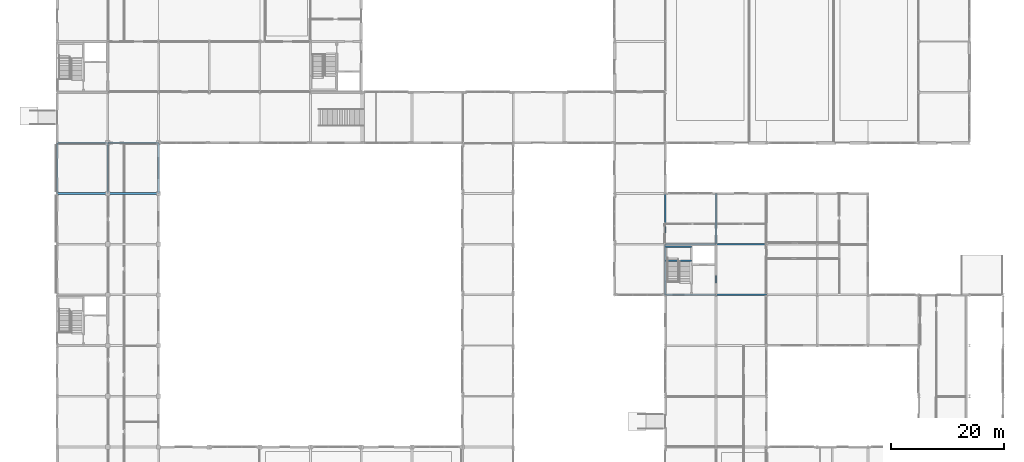
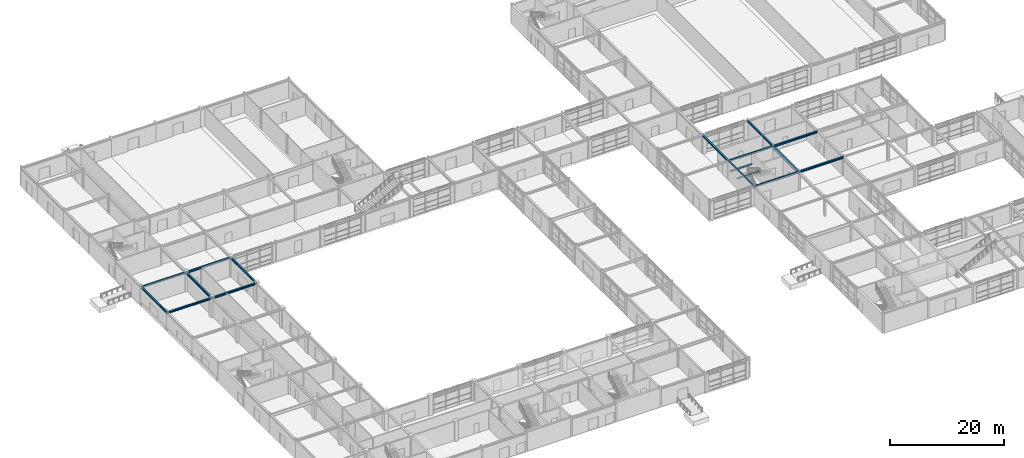
# One storey, part 29 of 72: 17 beams.
"""IFC4 building model written with IfcOpenShell, lengths in metres."""

import ifcopenshell
import ifcopenshell.guid

model = None  # the IFC model being written
_history = None  # IfcOwnerHistory: only IFC2X3 demands one
_inside = {}  # id of a spatial element -> (the spatial element, [elements in it])
_under = {}  # id of a project, library or spatial element -> (it, [spatial elements below it])
_declared = {}  # id of a project -> (the project, [libraries it declares])
_typed = {}  # id of a type object -> (the type object, [elements of that type])
_made_of = {}  # id of a material, layer set ... -> (it, [elements and type objects made of it])


def new_model(schema):
    """Start an empty IFC model of exactly this schema.

    Asked for "IFC4X3", IfcOpenShell would pick the latest addendum, in which some entities
    have other attributes; the version numbers below select the first issue.
    IFC2X3 requires an IfcOwnerHistory on every rooted entity: one is made here for all.
    """
    global model, _history
    if schema == "IFC4X3":
        model = ifcopenshell.file(schema_version=(4, 3, 0, 0))
    else:
        model = ifcopenshell.file(schema=schema)
    _inside.clear()
    _under.clear()
    _declared.clear()
    _typed.clear()
    _made_of.clear()
    _history = None
    if model.schema == "IFC2X3":
        org = make("IfcOrganization", Name="unknown")
        user = make(
            "IfcPersonAndOrganization",
            ThePerson=make("IfcPerson", FamilyName="unknown"),
            TheOrganization=org,
        )
        app = make(
            "IfcApplication",
            ApplicationDeveloper=org,
            Version="unknown",
            ApplicationFullName="unknown",
            ApplicationIdentifier="unknown",
        )
        _history = make(
            "IfcOwnerHistory",
            OwningUser=user,
            OwningApplication=app,
            ChangeAction="ADDED",
            CreationDate=0,
        )
    return model


def make(cls, **values):
    """One entity of the class cls with the attributes given. An attribute that is None is left unset."""
    return model.create_entity(
        cls, **{name: value for name, value in values.items() if value is not None}
    )


def rooted(cls, **values):
    """An entity with a GlobalId (a new one), such as an element, a storey or a relation."""
    return make(cls, GlobalId=ifcopenshell.guid.new(), OwnerHistory=_history, **values)


def si_unit(unit_type, name, prefix=None):
    """IfcSIUnit, for example si_unit("LENGTHUNIT", "METRE", prefix="MILLI")."""
    return make("IfcSIUnit", UnitType=unit_type, Prefix=prefix, Name=name)


def assignment(units):
    """IfcUnitAssignment: the units of a project."""
    return None if units is None else make("IfcUnitAssignment", Units=units)


def point(xyz):
    """IfcCartesianPoint."""
    return None if xyz is None else make("IfcCartesianPoint", Coordinates=xyz)


def direction(xyz):
    """IfcDirection."""
    return None if xyz is None else make("IfcDirection", DirectionRatios=xyz)


def frame(location, z_axis=None, x_axis=None):
    """IfcAxis2Placement3D, a coordinate frame: its origin and axes. An axis left out is left unset."""
    return make(
        "IfcAxis2Placement3D",
        Location=point(location),
        Axis=direction(z_axis),
        RefDirection=direction(x_axis),
    )


def frame_2d(location, x_axis=None):
    """IfcAxis2Placement2D, a coordinate frame in the plane: its origin and x axis."""
    return make(
        "IfcAxis2Placement2D", Location=point(location), RefDirection=direction(x_axis)
    )


def origin():
    """The frame at (0, 0, 0) with its axes left unset."""
    return frame((0.0, 0.0, 0.0))


def origin_2d():
    """The frame at (0, 0) in the plane with its x axis left unset."""
    return frame_2d((0.0, 0.0))


def place(relative_to, where):
    """IfcLocalPlacement: puts the frame where relative to a parent placement (None: the world)."""
    return make(
        "IfcLocalPlacement", PlacementRelTo=relative_to, RelativePlacement=where
    )


def context(
    kind, dimensions, precision=None, world=None, true_north=None, identifier=None
):
    """IfcGeometricRepresentationContext, for example the 3D "Model" context."""
    return make(
        "IfcGeometricRepresentationContext",
        ContextIdentifier=identifier,
        ContextType=kind,
        CoordinateSpaceDimension=dimensions,
        Precision=precision,
        WorldCoordinateSystem=world,
        TrueNorth=true_north,
    )


def subcontext(parent, identifier, kind, view, scale=None):
    """IfcGeometricRepresentationSubContext, for example "Body" below "Model"."""
    return make(
        "IfcGeometricRepresentationSubContext",
        ContextIdentifier=identifier,
        ContextType=kind,
        ParentContext=parent,
        TargetScale=scale,
        TargetView=view,
    )


def project(units=None, contexts=None):
    """IfcProject with its units and contexts."""
    return rooted(
        "IfcProject",
        Name="project",
        RepresentationContexts=contexts,
        UnitsInContext=assignment(units),
    )


def spatial(cls, under=None, at=None, **own):
    """A site, building, storey or space (cls), placed at a placement, below another one or the project."""
    s = rooted(cls, ObjectPlacement=at, **own)
    if under is not None:
        _under.setdefault(under.id(), (under, []))[1].append(s)
    return s


def profile(cls, at=None, kind="AREA", **sizes):
    """A parametric profile (cls). Its sizes go by their IFC names, for example OverallWidth=200.0."""
    return make(cls, ProfileType=kind, Position=at, **sizes)


def i_section(**sizes):
    """IfcIShapeProfileDef."""
    return profile("IfcIShapeProfileDef", **sizes)


def extrude(swept, where, along, depth):
    """IfcExtrudedAreaSolid: the profile swept, set in the frame where, extruded along a direction by depth."""
    return make(
        "IfcExtrudedAreaSolid",
        SweptArea=swept,
        Position=where,
        ExtrudedDirection=direction(along),
        Depth=depth,
    )


def shape(context_of_items, identifier, shape_type, items):
    """IfcShapeRepresentation: the items that make up one representation, for example the "Body"."""
    return make(
        "IfcShapeRepresentation",
        ContextOfItems=context_of_items,
        RepresentationIdentifier=identifier,
        RepresentationType=shape_type,
        Items=items,
    )


def material(Name=None, Category=None):
    """IfcMaterial."""
    return make("IfcMaterial", Name=Name, Category=Category)


def material_profile(
    of_material, cross_section, Name=None, Category=None, Priority=None
):
    """IfcMaterialProfile: a cross section and its material."""
    return make(
        "IfcMaterialProfile",
        Name=Name,
        Material=of_material,
        Profile=cross_section,
        Priority=Priority,
        Category=Category,
    )


def profile_set(profiles, Name=None, composite=None):
    """IfcMaterialProfileSet."""
    return make(
        "IfcMaterialProfileSet",
        Name=Name,
        MaterialProfiles=profiles,
        CompositeProfile=composite,
    )


def made_of(thing, what):
    """Note that an element or type object is made of a material, layer set ...; save() writes the relation."""
    if what is not None:
        _made_of.setdefault(what.id(), (what, []))[1].append(thing)
    return thing


def type_object(cls, material=None, **own):
    """A type object (cls), such as IfcWallType, which elements share."""
    return made_of(rooted(cls, **own), material)


def element(
    cls,
    number,
    at=None,
    inside=None,
    cuts=None,
    type_object=None,
    material=None,
    context=None,
    identifier="Body",
    shape_type=None,
    held_by="IfcProductDefinitionShape",
    body=None,
    shapes=None,
    **own,
):
    """One element of the class cls, such as IfcWall. Its Tag is "e" and its number.

    at: its placement. inside: the storey or other place that contains it. cuts: it is an
    opening in that element (IfcRelVoidsElement). A single representation is given by context,
    identifier, shape_type and body (its items); several are given by shapes. held_by: the class
    of the entity that holds the representations. save() writes the other relations.
    """
    e = rooted(cls, Tag="e%d" % number, ObjectPlacement=at, **own)
    if body is not None:
        shapes = [shape(context, identifier, shape_type, body)]
    if shapes is not None:
        e.Representation = make(held_by, Representations=shapes)
    if inside is not None:
        _inside.setdefault(inside.id(), (inside, []))[1].append(e)
    if cuts is not None:
        rooted(
            "IfcRelVoidsElement", RelatingBuildingElement=cuts, RelatedOpeningElement=e
        )
    if type_object is not None:
        _typed.setdefault(type_object.id(), (type_object, []))[1].append(e)
    return made_of(e, material)


def aggregate(whole, parts):
    """IfcRelAggregates: a whole, such as a stair, and the parts it consists of."""
    return rooted("IfcRelAggregates", RelatingObject=whole, RelatedObjects=parts)


def save(model, path):
    """Write the relations noted so far, then the file.

    IfcRelAggregates (storeys below a building ...), IfcRelContainedInSpatialStructure (elements
    in a storey), IfcRelDefinesByType, IfcRelAssociatesMaterial and IfcRelDeclares: one each for
    every whole, place, type object, material and project.
    """
    for whole, parts in _under.values():
        aggregate(whole, parts)
    for where, things in _inside.values():
        rooted(
            "IfcRelContainedInSpatialStructure",
            RelatedElements=things,
            RelatingStructure=where,
        )
    for kind, things in _typed.values():
        rooted("IfcRelDefinesByType", RelatedObjects=things, RelatingType=kind)
    for what, things in _made_of.values():
        rooted("IfcRelAssociatesMaterial", RelatedObjects=things, RelatingMaterial=what)
    for by, libraries in _declared.values():
        rooted("IfcRelDeclares", RelatingContext=by, RelatedDefinitions=libraries)
    model.write(path)


model = new_model("IFC4")

# Units and contexts
model_context = context("Model", 3, precision=1e-05, world=origin(), true_north=direction((0.0, 1.0)))
body_context = subcontext(model_context, "Body", "Model", "MODEL_VIEW")
ifc_project = project(units=[si_unit("LENGTHUNIT", "METRE"), si_unit("AREAUNIT", "SQUARE_METRE"), si_unit("VOLUMEUNIT", "CUBIC_METRE"), si_unit("PLANEANGLEUNIT", "RADIAN"), si_unit("MASSUNIT", "GRAM", prefix="KILO")], contexts=[model_context])

# Site, building, storey
site_placement = place(None, origin())
site = spatial("IfcSite", under=ifc_project, at=site_placement, CompositionType="ELEMENT")
building_placement = place(site_placement, origin())
building = spatial("IfcBuilding", under=site, at=building_placement, Name="Palais des Congres Ocreval", CompositionType="ELEMENT")
storey_placement = place(building_placement, origin())
storey = spatial("IfcBuildingStorey", under=building, at=storey_placement, Name="L00", CompositionType="ELEMENT", Elevation=0.0)

# Beams
ifc_material = material(Name="Steel S355", Category="steel")
ifc_material_profile_1 = material_profile(ifc_material, i_section(OverallWidth=0.260009765625, OverallDepth=0.260009765625, WebThickness=0.010009765625, FlangeThickness=0.017578125, at=origin_2d()), Name="HEB 260")
ifc_profile_set_1 = profile_set([ifc_material_profile_1], Name="Steel S355")
beam_type_1 = type_object("IfcBeamType", Name="Opening Lintel HEB 260 Steel S355", PredefinedType="LINTEL", material=ifc_profile_set_1)
beam_1_placement = place(storey_placement, frame((108.0, 45.02001953125, 3.925048828125), z_axis=(0.0, 1.0, 0.0), x_axis=(-1.0, 0.0, 0.0)))
element("IfcBeam", 1, at=beam_1_placement, inside=storey, type_object=beam_type_1, Name="Girder LN01 L00", PredefinedType="LINTEL", context=body_context, shape_type="SweptSolid", body=[
    extrude(i_section(OverallWidth=0.260009765625, OverallDepth=0.260009765625, WebThickness=0.010009765625, FlangeThickness=0.017578125, at=origin_2d()), origin(), (0.0, 0.0, 1.0), 8.9599609375),
])
for number, where, z_axis, x_axis, name in (
    (2, (108.02001953125, 51.070068359375, 1.909912109375), (1.0, 0.0, 0.0), (0.0, 1.0, 0.0), "Stair Landing Support Beam ST10 L00-1"),
    (3, (108.02001953125, 53.580078125, 1.909912109375), (1.0, 0.0, 0.0), (0.0, 1.0, 0.0), "Stair Landing Support Beam ST10 L00-2"),
):
    element("IfcBeam", number, at=place(storey_placement, frame(where, z_axis=z_axis, x_axis=x_axis)), inside=storey, type_object=beam_type_1, Name=name, PredefinedType="LINTEL", context=body_context, shape_type="SweptSolid", body=[
        extrude(i_section(OverallWidth=0.260009765625, OverallDepth=0.260009765625, WebThickness=0.010009765625, FlangeThickness=0.017578125, at=origin_2d()), origin(), (0.0, 0.0, 1.0), 4.60986328125),
    ])
ifc_material_profile_2 = material_profile(ifc_material, i_section(OverallWidth=0.300048828125, OverallDepth=0.300048828125, WebThickness=0.010986328125, FlangeThickness=0.01904296875, at=origin_2d()), Name="HEB 300")
ifc_profile_set_2 = profile_set([ifc_material_profile_2], Name="Steel S355")
beam_type_2 = type_object("IfcBeamType", Name="Perimeter Spandrel HEB 300 Steel S355", PredefinedType="SPANDREL", material=ifc_profile_set_2)
beam_2_placement = place(storey_placement, frame((108.0, 54.02001953125, 3.905029296875), z_axis=(0.0, 1.0, 0.0), x_axis=(-1.0, 0.0, 0.0)))
element("IfcBeam", 4, at=beam_2_placement, inside=storey, type_object=beam_type_2, Name="Girder SP02 L00", PredefinedType="SPANDREL", context=body_context, shape_type="SweptSolid", body=[
    extrude(i_section(OverallWidth=0.300048828125, OverallDepth=0.300048828125, WebThickness=0.010986328125, FlangeThickness=0.01904296875, at=origin_2d()), origin(), (0.0, 0.0, 1.0), 8.9599609375),
])
ifc_material_profile_3 = material_profile(ifc_material, i_section(OverallWidth=0.300048828125, OverallDepth=0.360107421875, WebThickness=0.012451171875, FlangeThickness=0.0224609375, at=origin_2d()), Name="HEB 360")
ifc_profile_set_3 = profile_set([ifc_material_profile_3], Name="Steel S355")
beam_type_3 = type_object("IfcBeamType", Name="Perimeter Spandrel HEB 360 Steel S355", PredefinedType="SPANDREL", material=ifc_profile_set_3)
for number, where, z_axis, x_axis, name in (
    (5, (0.02001953125, 63.0, 3.875), (1.0, 0.0, 0.0), (0.0, 1.0, 0.0), "Beam SP03 L00"),
    (6, (0.0, 63.02001953125, 3.875), (0.0, 1.0, 0.0), (-1.0, 0.0, 0.0), "Girder SP03 L00"),
    (7, (0.02001953125, 72.0, 3.875), (1.0, 0.0, 0.0), (0.0, 1.0, 0.0), "Beam SP03 L00"),
    (8, (18.0, 63.02001953125, 3.875), (0.0, 1.0, 0.0), (-1.0, 0.0, 0.0), "Girder SP03 L00"),
    (9, (108.02001953125, 45.0, 3.875), (1.0, 0.0, 0.0), (0.0, 1.0, 0.0), "Beam SP03 L00"),
):
    element("IfcBeam", number, at=place(storey_placement, frame(where, z_axis=z_axis, x_axis=x_axis)), inside=storey, type_object=beam_type_3, Name=name, PredefinedType="SPANDREL", context=body_context, shape_type="SweptSolid", body=[
        extrude(i_section(OverallWidth=0.300048828125, OverallDepth=0.360107421875, WebThickness=0.012451171875, FlangeThickness=0.0224609375, at=origin_2d()), origin(), (0.0, 0.0, 1.0), 8.9599609375),
    ])
ifc_material_profile_4 = material_profile(ifc_material, i_section(OverallWidth=0.300048828125, OverallDepth=0.39990234375, WebThickness=0.013427734375, FlangeThickness=0.02392578125, at=origin_2d()), Name="HEB 400")
ifc_profile_set_4 = profile_set([ifc_material_profile_4], Name="Steel S355")
beam_type_4 = type_object("IfcBeamType", Name="Perimeter Spandrel HEB 400 Steel S355", PredefinedType="SPANDREL", material=ifc_profile_set_4)
for number, where, z_axis, x_axis, name in (
    (10, (9.02001953125, 63.0, 3.85498046875), (1.0, 0.0, 0.0), (0.0, 1.0, 0.0), "Beam SP04 L00"),
    (11, (9.02001953125, 72.0, 3.85498046875), (1.0, 0.0, 0.0), (0.0, 1.0, 0.0), "Beam SP04 L00"),
    (12, (117.02001953125, 45.0, 3.85498046875), (1.0, 0.0, 0.0), (0.0, 1.0, 0.0), "Beam SP04 L00"),
):
    element("IfcBeam", number, at=place(storey_placement, frame(where, z_axis=z_axis, x_axis=x_axis)), inside=storey, type_object=beam_type_4, Name=name, PredefinedType="SPANDREL", context=body_context, shape_type="SweptSolid", body=[
        extrude(i_section(OverallWidth=0.300048828125, OverallDepth=0.39990234375, WebThickness=0.013427734375, FlangeThickness=0.02392578125, at=origin_2d()), origin(), (0.0, 0.0, 1.0), 8.9599609375),
    ])
ifc_material_profile_5 = material_profile(ifc_material, i_section(OverallWidth=0.300048828125, OverallDepth=0.2900390625, WebThickness=0.008544921875, FlangeThickness=0.013916015625, at=origin_2d()), Name="HEA 300")
ifc_profile_set_5 = profile_set([ifc_material_profile_5], Name="Steel S355")
beam_type_5 = type_object("IfcBeamType", Name="Primary Beam HEA 300 Steel S355", PredefinedType="BEAM", material=ifc_profile_set_5)
beam_3_placement = place(storey_placement, frame((117.0, 54.02001953125, 3.909912109375), z_axis=(0.0, 1.0, 0.0), x_axis=(-1.0, 0.0, 0.0)))
element("IfcBeam", 13, at=beam_3_placement, inside=storey, type_object=beam_type_5, Name="Girder B08 L00", PredefinedType="BEAM", context=body_context, shape_type="SweptSolid", body=[
    extrude(i_section(OverallWidth=0.300048828125, OverallDepth=0.2900390625, WebThickness=0.008544921875, FlangeThickness=0.013916015625, at=origin_2d()), origin(), (0.0, 0.0, 1.0), 8.9599609375),
])
ifc_material_profile_6 = material_profile(ifc_material, i_section(OverallWidth=0.300048828125, OverallDepth=0.330078125, WebThickness=0.009521484375, FlangeThickness=0.0166015625, at=origin_2d()), Name="HEA 340")
ifc_profile_set_6 = profile_set([ifc_material_profile_6], Name="Steel S355")
beam_type_6 = type_object("IfcBeamType", Name="Primary Beam HEA 340 Steel S355", PredefinedType="BEAM", material=ifc_profile_set_6)
beam_4_placement = place(storey_placement, frame((108.02001953125, 54.0, 3.889892578125), z_axis=(1.0, 0.0, 0.0), x_axis=(0.0, 1.0, 0.0)))
element("IfcBeam", 14, at=beam_4_placement, inside=storey, type_object=beam_type_6, Name="Beam B09 L00", PredefinedType="BEAM", context=body_context, shape_type="SweptSolid", body=[
    extrude(i_section(OverallWidth=0.300048828125, OverallDepth=0.330078125, WebThickness=0.009521484375, FlangeThickness=0.0166015625, at=origin_2d()), origin(), (0.0, 0.0, 1.0), 8.9599609375),
])
ifc_material_profile_7 = material_profile(ifc_material, i_section(OverallWidth=0.300048828125, OverallDepth=0.389892578125, WebThickness=0.010986328125, FlangeThickness=0.01904296875, at=origin_2d()), Name="HEA 400")
ifc_profile_set_7 = profile_set([ifc_material_profile_7], Name="Steel S355")
beam_type_7 = type_object("IfcBeamType", Name="Primary Beam HEA 400 Steel S355", PredefinedType="BEAM", material=ifc_profile_set_7)
beam_5_placement = place(storey_placement, frame((117.02001953125, 54.0, 3.860107421875), z_axis=(1.0, 0.0, 0.0), x_axis=(0.0, 1.0, 0.0)))
element("IfcBeam", 15, at=beam_5_placement, inside=storey, type_object=beam_type_7, Name="Beam B10 L00", PredefinedType="BEAM", context=body_context, shape_type="SweptSolid", body=[
    extrude(i_section(OverallWidth=0.300048828125, OverallDepth=0.389892578125, WebThickness=0.010986328125, FlangeThickness=0.01904296875, at=origin_2d()), origin(), (0.0, 0.0, 1.0), 8.9599609375),
])
ifc_material_profile_8 = material_profile(ifc_material, i_section(OverallWidth=0.300048828125, OverallDepth=0.43994140625, WebThickness=0.011474609375, FlangeThickness=0.02099609375, at=origin_2d()), Name="HEA 450")
ifc_profile_set_8 = profile_set([ifc_material_profile_8], Name="Steel S355")
beam_type_8 = type_object("IfcBeamType", Name="Primary Beam HEA 450 Steel S355", PredefinedType="BEAM", material=ifc_profile_set_8)
beam_6_placement = place(storey_placement, frame((9.0, 63.02001953125, 3.8349609375), z_axis=(0.0, 1.0, 0.0), x_axis=(-1.0, 0.0, 0.0)))
element("IfcBeam", 16, at=beam_6_placement, inside=storey, type_object=beam_type_8, Name="Girder B11 L00", PredefinedType="BEAM", context=body_context, shape_type="SweptSolid", body=[
    extrude(i_section(OverallWidth=0.300048828125, OverallDepth=0.43994140625, WebThickness=0.011474609375, FlangeThickness=0.02099609375, at=origin_2d()), origin(), (0.0, 0.0, 1.0), 8.9599609375),
])
ifc_material_profile_9 = material_profile(ifc_material, i_section(OverallWidth=0.300048828125, OverallDepth=0.68994140625, WebThickness=0.014404296875, FlangeThickness=0.027099609375, at=origin_2d()), Name="HEA 700")
ifc_profile_set_9 = profile_set([ifc_material_profile_9], Name="Steel S355")
beam_type_9 = type_object("IfcBeamType", Name="Primary Girder HEA 700 Steel S355", PredefinedType="BEAM", material=ifc_profile_set_9)
beam_7_placement = place(storey_placement, frame((117.0, 45.02001953125, 3.7099609375), z_axis=(0.0, 1.0, 0.0), x_axis=(-1.0, 0.0, 0.0)))
element("IfcBeam", 17, at=beam_7_placement, inside=storey, type_object=beam_type_9, Name="Girder B14 L00", PredefinedType="BEAM", context=body_context, shape_type="SweptSolid", body=[
    extrude(i_section(OverallWidth=0.300048828125, OverallDepth=0.68994140625, WebThickness=0.014404296875, FlangeThickness=0.027099609375, at=origin_2d()), origin(), (0.0, 0.0, 1.0), 8.9599609375),
])

save(model, "model.ifc")
